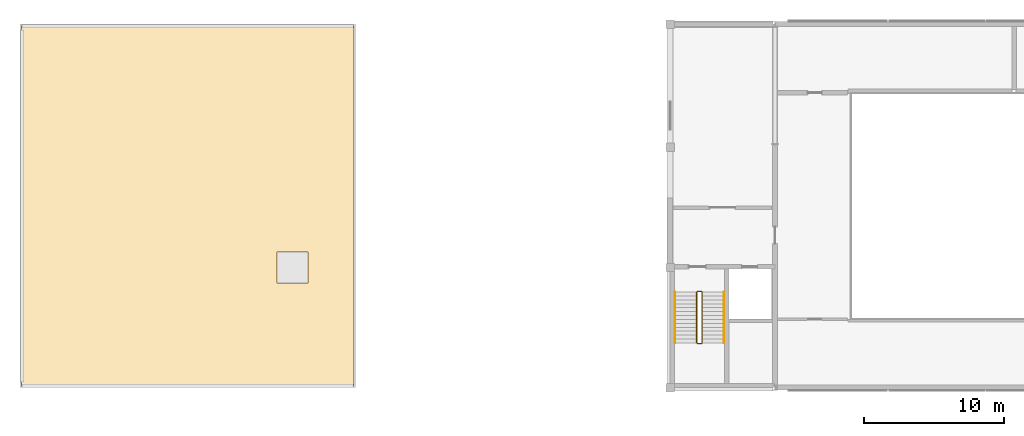
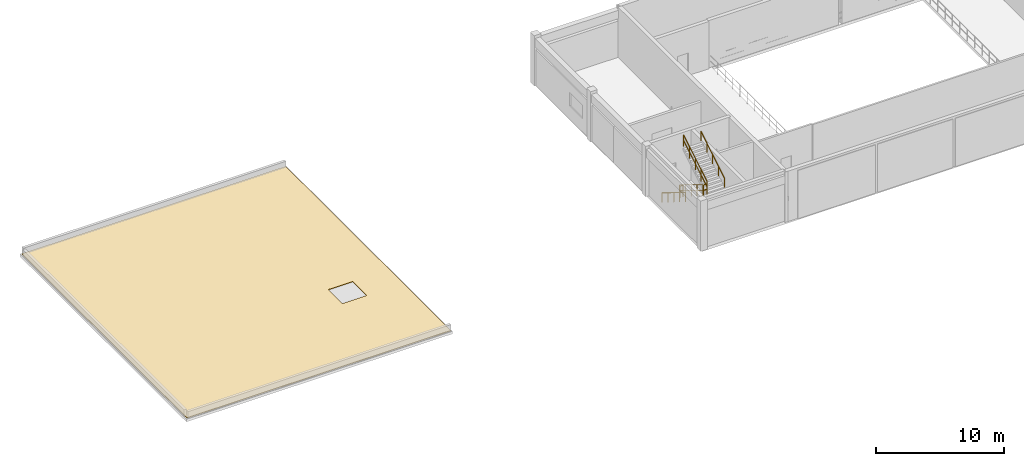
# One storey, part 8 of 9: 6 railings, 1 covering.
"""IFC4 building model written with IfcOpenShell, lengths in metres."""

from ifc_helpers import new_model, si_unit, direction, frame, origin, origin_2d, place, context, subcontext, project, spatial, polyline, circle, outline, extrude, material, layer, layer_set, type_object, element, save


model = new_model("IFC4")

# Units and contexts
model_context = context("Model", 3, precision=1e-05, world=origin(), true_north=direction((0.0, 1.0)))
body_context = subcontext(model_context, "Body", "Model", "MODEL_VIEW")
ifc_project = project(units=[si_unit("LENGTHUNIT", "METRE"), si_unit("AREAUNIT", "SQUARE_METRE"), si_unit("VOLUMEUNIT", "CUBIC_METRE"), si_unit("PLANEANGLEUNIT", "RADIAN"), si_unit("MASSUNIT", "GRAM", prefix="KILO")], contexts=[model_context])

# Site, building, storey
site_placement = place(None, origin())
site = spatial("IfcSite", under=ifc_project, at=site_placement, CompositionType="ELEMENT")
building_placement = place(site_placement, origin())
building = spatial("IfcBuilding", under=site, at=building_placement, Name="Muzn Square Opera House", CompositionType="ELEMENT")
storey_placement = place(building_placement, frame((0.0, 0.0, 23.39990234375)))
storey = spatial("IfcBuildingStorey", under=building, at=storey_placement, Name="L05", CompositionType="ELEMENT", Elevation=23.39990234375)

# Covering
ifc_material_1 = material(Name="Insulated roof membrane")
ifc_layer = layer(ifc_material_1, 0.050048828125, Name="Insulated roof membrane")
ifc_layer_set = layer_set([ifc_layer], Name="Insulated roof membrane")
covering_type = type_object("IfcCoveringType", Name="Insulated Flat Roof Membrane", PredefinedType="ROOFING", material=ifc_layer_set)
covering_placement = place(storey_placement, origin())
element("IfcCovering", 1, at=covering_placement, inside=storey, type_object=covering_type, Name="Flat Roof Membrane ROOF-L05-WCORE", PredefinedType="ROOFING", context=body_context, shape_type="SweptSolid", body=[
    extrude(outline(polyline([(19.10009765625, 72.699951171875), (42.89990234375, 72.699951171875), (42.89990234375, 98.5), (19.10009765625, 98.5), (19.10009765625, 72.699951171875)]), holes=[polyline([(37.39990234375, 80.10009765625), (39.60009765625, 80.10009765625), (39.60009765625, 82.300048828125), (37.39990234375, 82.300048828125), (37.39990234375, 80.10009765625)])]), origin(), (0.0, 0.0, 1.0), 0.050048828125),
])

# Railings
ifc_material_2 = material(Name="Brushed stainless steel", Category="metal")
railing_type_1 = type_object("IfcRailingType", Name="Stair Guard Railing 1120mm", PredefinedType="GUARDRAIL", material=ifc_material_2)
railing_1_placement = place(storey_placement, frame((67.409912109375, 79.43994140625, 0.171630859375)))
element("IfcRailing", 2, at=railing_1_placement, inside=storey, type_object=railing_type_1, Name="L05 ST-1 stair guard 1", PredefinedType="GUARDRAIL", context=body_context, shape_type="SweptSolid", body=[
    extrude(circle(Radius=0.02392578125, at=origin_2d()), frame((0.0, 0.0, 1.076171875), z_axis=(0.0, -0.852850264322, 0.5221555579), x_axis=(1.0, 0.0, 0.0)), (0.0, 0.0, 1.0), 4.267822265625),
    extrude(circle(Radius=0.02392578125, at=origin_2d()), frame((0.0, 0.0, 0.550048828125), z_axis=(0.0, -0.852850264322, 0.5221555579), x_axis=(1.0, 0.0, 0.0)), (0.0, 0.0, 1.0), 4.267822265625),
    extrude(circle(Radius=0.02099609375, at=origin_2d()), origin(), (0.0, 0.0, 1.0), 1.052001953125),
    extrude(circle(Radius=0.02099609375, at=origin_2d()), frame((0.0, -0.909912109375, 0.55712890625)), (0.0, 0.0, 1.0), 1.052001953125),
    extrude(circle(Radius=0.02099609375, at=origin_2d()), frame((0.0, -1.81982421875, 1.1142578125)), (0.0, 0.0, 1.0), 1.052001953125),
    extrude(circle(Radius=0.02099609375, at=origin_2d()), frame((0.0, -2.72998046875, 1.67138671875)), (0.0, 0.0, 1.0), 1.052001953125),
    extrude(circle(Radius=0.02099609375, at=origin_2d()), frame((0.0, -3.639892578125, 2.228515625)), (0.0, 0.0, 1.0), 1.052001953125),
])
railing_2_placement = place(storey_placement, frame((67.4599609375, 75.75, 2.400146484375)))
element("IfcRailing", 3, at=railing_2_placement, inside=storey, type_object=railing_type_1, Name="L05 ST-1 stair guard 2", PredefinedType="GUARDRAIL", context=body_context, shape_type="SweptSolid", body=[
    extrude(circle(Radius=0.02392578125, at=origin_2d()), frame((0.0, 0.0, 1.076171875), z_axis=(1.0, 0.0, 0.0), x_axis=(0.0, 1.0, 0.0)), (0.0, 0.0, 1.0), 0.280029296875),
    extrude(circle(Radius=0.02392578125, at=origin_2d()), frame((0.0, 0.0, 0.550048828125), z_axis=(1.0, 0.0, 0.0), x_axis=(0.0, 1.0, 0.0)), (0.0, 0.0, 1.0), 0.280029296875),
    extrude(circle(Radius=0.02099609375, at=origin_2d()), origin(), (0.0, 0.0, 1.0), 1.052001953125),
    extrude(circle(Radius=0.02099609375, at=origin_2d()), frame((0.280029296875, 0.0, 0.0)), (0.0, 0.0, 1.0), 1.052001953125),
])
railing_3_placement = place(storey_placement, frame((67.7900390625, 75.800048828125, 2.571533203125)))
element("IfcRailing", 4, at=railing_3_placement, inside=storey, type_object=railing_type_1, Name="L05 ST-1 stair guard 3", PredefinedType="GUARDRAIL", context=body_context, shape_type="SweptSolid", body=[
    extrude(circle(Radius=0.02392578125, at=origin_2d()), frame((0.0, 0.0, 1.076171875), z_axis=(0.0, 0.852850264322, 0.5221555579), x_axis=(-1.0, 0.0, 0.0)), (0.0, 0.0, 1.0), 4.267822265625),
    extrude(circle(Radius=0.02392578125, at=origin_2d()), frame((0.0, 0.0, 0.550048828125), z_axis=(0.0, 0.852850264322, 0.5221555579), x_axis=(-1.0, 0.0, 0.0)), (0.0, 0.0, 1.0), 4.267822265625),
    extrude(circle(Radius=0.02099609375, at=origin_2d()), origin(), (0.0, 0.0, 1.0), 1.052001953125),
    extrude(circle(Radius=0.02099609375, at=origin_2d()), frame((0.0, 0.909912109375, 0.55712890625)), (0.0, 0.0, 1.0), 1.052001953125),
    extrude(circle(Radius=0.02099609375, at=origin_2d()), frame((0.0, 1.81982421875, 1.1142578125)), (0.0, 0.0, 1.0), 1.052001953125),
    extrude(circle(Radius=0.02099609375, at=origin_2d()), frame((0.0, 2.72998046875, 1.67138671875)), (0.0, 0.0, 1.0), 1.052001953125),
    extrude(circle(Radius=0.02099609375, at=origin_2d()), frame((0.0, 3.639892578125, 2.228515625)), (0.0, 0.0, 1.0), 1.052001953125),
])
railing_4_placement = place(storey_placement, frame((67.4599609375, 79.489990234375, 0.0)))
element("IfcRailing", 5, at=railing_4_placement, inside=storey, type_object=railing_type_1, Name="L05 ST-1 stair guard 4", PredefinedType="GUARDRAIL", context=body_context, shape_type="SweptSolid", body=[
    extrude(circle(Radius=0.02392578125, at=origin_2d()), frame((0.0, 0.0, 1.076171875), z_axis=(1.0, 0.0, 0.0), x_axis=(0.0, 1.0, 0.0)), (0.0, 0.0, 1.0), 0.280029296875),
    extrude(circle(Radius=0.02392578125, at=origin_2d()), frame((0.0, 0.0, 0.550048828125), z_axis=(1.0, 0.0, 0.0), x_axis=(0.0, 1.0, 0.0)), (0.0, 0.0, 1.0), 0.280029296875),
    extrude(circle(Radius=0.02099609375, at=origin_2d()), origin(), (0.0, 0.0, 1.0), 1.052001953125),
    extrude(circle(Radius=0.02099609375, at=origin_2d()), frame((0.280029296875, 0.0, 0.0)), (0.0, 0.0, 1.0), 1.052001953125),
])
railing_type_2 = type_object("IfcRailingType", Name="Stair Pitch Handrail 900mm", PredefinedType="HANDRAIL", material=ifc_material_2)
railing_5_placement = place(storey_placement, frame((65.85009765625, 79.43994140625, 0.171630859375)))
element("IfcRailing", 6, at=railing_5_placement, inside=storey, type_object=railing_type_2, Name="L05 ST-1 stair handrail 1", PredefinedType="HANDRAIL", context=body_context, shape_type="SweptSolid", body=[
    extrude(circle(Radius=0.02392578125, at=origin_2d()), frame((0.0, 0.0, 0.8759765625), z_axis=(0.0, -0.852850264322, 0.5221555579), x_axis=(1.0, 0.0, 0.0)), (0.0, 0.0, 1.0), 4.267822265625),
    extrude(circle(Radius=0.02099609375, at=origin_2d()), origin(), (0.0, 0.0, 1.0), 0.851806640625),
    extrude(circle(Radius=0.02099609375, at=origin_2d()), frame((0.0, -0.909912109375, 0.55712890625)), (0.0, 0.0, 1.0), 0.851806640625),
    extrude(circle(Radius=0.02099609375, at=origin_2d()), frame((0.0, -1.81982421875, 1.1142578125)), (0.0, 0.0, 1.0), 0.851806640625),
    extrude(circle(Radius=0.02099609375, at=origin_2d()), frame((0.0, -2.72998046875, 1.67138671875)), (0.0, 0.0, 1.0), 0.851806640625),
    extrude(circle(Radius=0.02099609375, at=origin_2d()), frame((0.0, -3.639892578125, 2.228515625)), (0.0, 0.0, 1.0), 0.851806640625),
])
railing_6_placement = place(storey_placement, frame((69.35009765625, 75.800048828125, 2.571533203125)))
element("IfcRailing", 7, at=railing_6_placement, inside=storey, type_object=railing_type_2, Name="L05 ST-1 stair handrail 2", PredefinedType="HANDRAIL", context=body_context, shape_type="SweptSolid", body=[
    extrude(circle(Radius=0.02392578125, at=origin_2d()), frame((0.0, 0.0, 0.8759765625), z_axis=(0.0, 0.852850264322, 0.5221555579), x_axis=(-1.0, 0.0, 0.0)), (0.0, 0.0, 1.0), 4.267822265625),
    extrude(circle(Radius=0.02099609375, at=origin_2d()), origin(), (0.0, 0.0, 1.0), 0.851806640625),
    extrude(circle(Radius=0.02099609375, at=origin_2d()), frame((0.0, 0.909912109375, 0.55712890625)), (0.0, 0.0, 1.0), 0.851806640625),
    extrude(circle(Radius=0.02099609375, at=origin_2d()), frame((0.0, 1.81982421875, 1.1142578125)), (0.0, 0.0, 1.0), 0.851806640625),
    extrude(circle(Radius=0.02099609375, at=origin_2d()), frame((0.0, 2.72998046875, 1.67138671875)), (0.0, 0.0, 1.0), 0.851806640625),
    extrude(circle(Radius=0.02099609375, at=origin_2d()), frame((0.0, 3.639892578125, 2.228515625)), (0.0, 0.0, 1.0), 0.851806640625),
])

save(model, "model.ifc")
